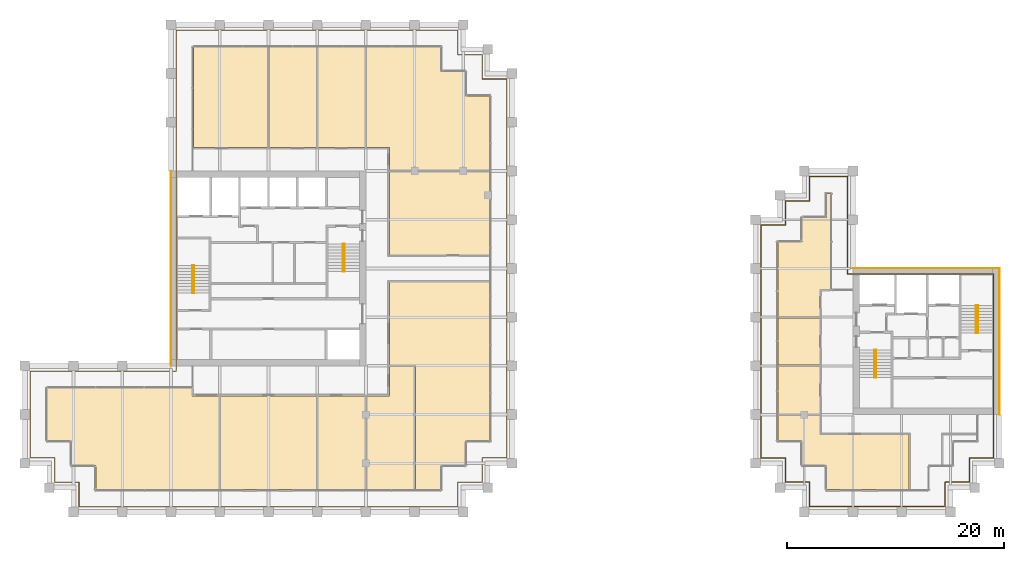
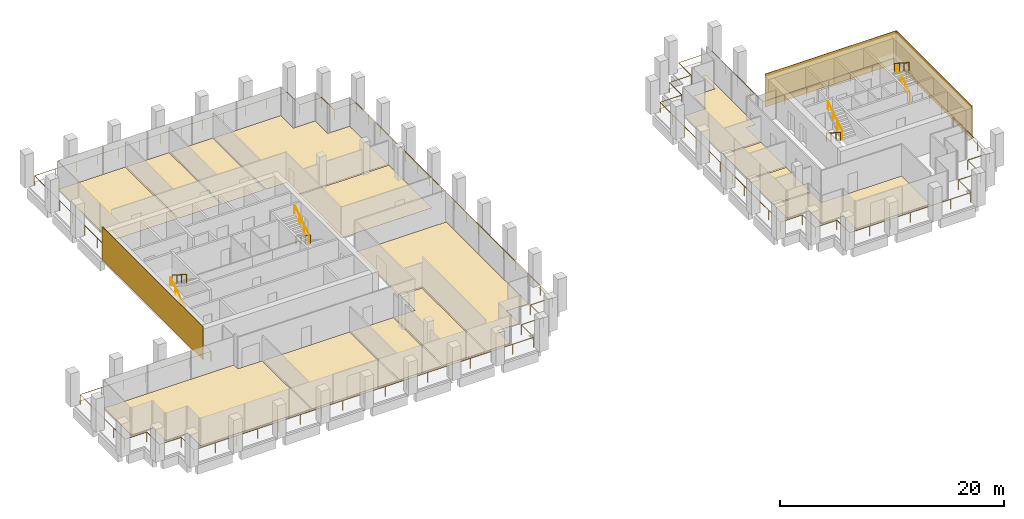
# One storey, part 40 of 40: 17 coverings, 10 railings.
"""IFC4 building model written with IfcOpenShell, lengths in metres."""

from ifc_helpers import new_model, si_unit, direction, frame, origin, origin_2d, place, context, subcontext, project, spatial, polyline, rectangle, circle, outline, extrude, source, transform, mapped, material, layer, layer_set, type_object, element, save


model = new_model("IFC4")

# Units and contexts
model_context = context("Model", 3, precision=1e-05, world=origin(), true_north=direction((0.0, 1.0)))
body_context = subcontext(model_context, "Body", "Model", "MODEL_VIEW")
ifc_project = project(units=[si_unit("LENGTHUNIT", "METRE"), si_unit("AREAUNIT", "SQUARE_METRE"), si_unit("VOLUMEUNIT", "CUBIC_METRE"), si_unit("PLANEANGLEUNIT", "RADIAN"), si_unit("MASSUNIT", "GRAM", prefix="KILO")], contexts=[model_context])

# Site, building, storey
site_placement = place(None, origin())
site = spatial("IfcSite", under=ifc_project, at=site_placement, CompositionType="ELEMENT")
building_placement = place(site_placement, origin())
building = spatial("IfcBuilding", under=site, at=building_placement, Name="Altepetl Exchange Towers", CompositionType="ELEMENT")
storey_placement = place(building_placement, frame((0.0, 0.0, 172.60009765625)))
storey = spatial("IfcBuildingStorey", under=building, at=storey_placement, Name="L43", CompositionType="ELEMENT", Elevation=172.60009765625)

# Coverings
ifc_material_1 = material(Name="Carpet tile")
ifc_layer_1 = layer(ifc_material_1, 0.02001953125)
ifc_layer_set_1 = layer_set([ifc_layer_1], Name="Carpet tile")
covering_type_1 = type_object("IfcCoveringType", Name="Carpet tile floor", PredefinedType="FLOORING", material=ifc_layer_set_1)
covering_1_placement = place(storey_placement, origin())
element("IfcCovering", 1, at=covering_1_placement, inside=storey, type_object=covering_type_1, Name="Meeting room floor finish A43.01", PredefinedType="FLOORING", context=body_context, shape_type="SweptSolid", body=[
    extrude(outline(polyline([(53.9375, 29.0625), (53.9375, 37.737548828125), (45.0625, 37.737548828125), (45.0625, 29.0625), (53.9375, 29.0625)])), origin(), (0.0, 0.0, 1.0), 0.02001953125),
])
covering_2_placement = place(storey_placement, origin())
element("IfcCovering", 2, at=covering_2_placement, inside=storey, type_object=covering_type_1, Name="Pantry floor finish A43.02", PredefinedType="FLOORING", context=body_context, shape_type="SweptSolid", body=[
    extrude(outline(polyline([(58.4375, 29.0625), (58.4375, 37.737548828125), (54.0625, 37.737548828125), (54.0625, 29.0625), (58.4375, 29.0625)])), origin(), (0.0, 0.0, 1.0), 0.02001953125),
])
covering_3_placement = place(storey_placement, origin())
element("IfcCovering", 3, at=covering_3_placement, inside=storey, type_object=covering_type_1, Name="Interview room floor finish A43.04", PredefinedType="FLOORING", context=body_context, shape_type="SweptSolid", body=[
    extrude(outline(polyline([(62.9375, 29.0625), (62.9375, 40.4375), (60.66259765625, 40.4375), (60.66259765625, 37.737548828125), (58.5625, 37.737548828125), (58.5625, 29.0625), (62.9375, 29.0625)])), origin(), (0.0, 0.0, 1.0), 0.02001953125),
])
covering_4_placement = place(storey_placement, origin())
element("IfcCovering", 4, at=covering_4_placement, inside=storey, type_object=covering_type_1, Name="Fund office floor finish A43.05", PredefinedType="FLOORING", context=body_context, shape_type="SweptSolid", body=[
    extrude(outline(polyline([(67.6875, 31.3125), (67.6875, 33.5625), (69.9375, 33.5625), (69.9375, 48.237548828125), (60.66259765625, 48.237548828125), (60.66259765625, 40.5625), (63.0625, 40.5625), (63.0625, 29.0625), (65.4375, 29.0625), (65.4375, 31.3125), (67.6875, 31.3125)])), origin(), (0.0, 0.0, 1.0), 0.02001953125),
])
covering_5_placement = place(storey_placement, origin())
element("IfcCovering", 5, at=covering_5_placement, inside=storey, type_object=covering_type_1, Name="Training room floor finish A43.06", PredefinedType="FLOORING", context=body_context, shape_type="SweptSolid", body=[
    extrude(outline(polyline([(69.9375, 58.4375), (60.66259765625, 58.4375), (60.66259765625, 50.762451171875), (69.9375, 50.762451171875), (69.9375, 58.4375)])), origin(), (0.0, 0.0, 1.0), 0.02001953125),
])
covering_6_placement = place(storey_placement, origin())
element("IfcCovering", 6, at=covering_6_placement, inside=storey, type_object=covering_type_1, Name="Open office floor finish A43.07", PredefinedType="FLOORING", context=body_context, shape_type="SweptSolid", body=[
    extrude(outline(polyline([(60.66259765625, 58.5625), (69.9375, 58.5625), (69.9375, 65.4375), (67.6875, 65.4375), (67.6875, 67.6875), (65.4375, 67.6875), (65.4375, 69.9375), (58.5625, 69.9375), (58.5625, 60.66259765625), (60.66259765625, 60.66259765625), (60.66259765625, 58.5625)])), origin(), (0.0, 0.0, 1.0), 0.02001953125),
])
covering_7_placement = place(storey_placement, origin())
element("IfcCovering", 7, at=covering_7_placement, inside=storey, type_object=covering_type_1, Name="Huddle room floor finish A43.08", PredefinedType="FLOORING", context=body_context, shape_type="SweptSolid", body=[
    extrude(outline(polyline([(49.4375, 60.66259765625), (49.4375, 69.9375), (42.5625, 69.9375), (42.5625, 60.66259765625), (49.4375, 60.66259765625)])), origin(), (0.0, 0.0, 1.0), 0.02001953125),
])
covering_8_placement = place(storey_placement, origin())
element("IfcCovering", 8, at=covering_8_placement, inside=storey, type_object=covering_type_1, Name="Conference room floor finish A43.09", PredefinedType="FLOORING", context=body_context, shape_type="SweptSolid", body=[
    extrude(outline(polyline([(53.9375, 60.66259765625), (53.9375, 69.9375), (49.5625, 69.9375), (49.5625, 60.66259765625), (53.9375, 60.66259765625)])), origin(), (0.0, 0.0, 1.0), 0.02001953125),
])
covering_9_placement = place(storey_placement, origin())
element("IfcCovering", 9, at=covering_9_placement, inside=storey, type_object=covering_type_1, Name="Meeting room floor finish A43.10", PredefinedType="FLOORING", context=body_context, shape_type="SweptSolid", body=[
    extrude(outline(polyline([(58.4375, 60.66259765625), (58.4375, 69.9375), (54.0625, 69.9375), (54.0625, 60.66259765625), (58.4375, 60.66259765625)])), origin(), (0.0, 0.0, 1.0), 0.02001953125),
])
covering_10_placement = place(storey_placement, origin())
element("IfcCovering", 10, at=covering_10_placement, inside=storey, type_object=covering_type_1, Name="Pantry floor finish B43.01", PredefinedType="FLOORING", context=body_context, shape_type="SweptSolid", body=[
    extrude(outline(polyline([(100.4375, 40.4375), (96.5625, 40.4375), (96.5625, 36.0625), (100.4375, 36.0625), (100.4375, 40.4375)])), origin(), (0.0, 0.0, 1.0), 0.02001953125),
])
covering_11_placement = place(storey_placement, origin())
element("IfcCovering", 11, at=covering_11_placement, inside=storey, type_object=covering_type_1, Name="Open office floor finish B43.02", PredefinedType="FLOORING", context=body_context, shape_type="SweptSolid", body=[
    extrude(outline(polyline([(108.6875, 29.0625), (108.6875, 34.137451171875), (100.4375, 34.137451171875), (100.4375, 35.9375), (96.5625, 35.9375), (96.5625, 33.5625), (98.8125, 33.5625), (98.8125, 31.3125), (101.0625, 31.3125), (101.0625, 29.0625), (108.6875, 29.0625)])), origin(), (0.0, 0.0, 1.0), 0.02001953125),
])
covering_12_placement = place(storey_placement, origin())
element("IfcCovering", 12, at=covering_12_placement, inside=storey, type_object=covering_type_1, Name="Meeting room floor finish B43.03", PredefinedType="FLOORING", context=body_context, shape_type="SweptSolid", body=[
    extrude(outline(polyline([(101.4375, 47.5625), (101.4375, 56.4375), (101.0625, 56.4375), (101.0625, 54.1875), (98.8125, 54.1875), (98.8125, 51.9375), (96.5625, 51.9375), (96.5625, 45.0625), (100.4375, 45.0625), (100.4375, 47.5625), (101.4375, 47.5625)])), origin(), (0.0, 0.0, 1.0), 0.02001953125),
])
covering_13_placement = place(storey_placement, origin())
element("IfcCovering", 13, at=covering_13_placement, inside=storey, type_object=covering_type_1, Name="Pantry floor finish B43.04", PredefinedType="FLOORING", context=body_context, shape_type="SweptSolid", body=[
    extrude(outline(polyline([(100.4375, 44.9375), (96.5625, 44.9375), (96.5625, 40.5625), (100.4375, 40.5625), (100.4375, 44.9375)])), origin(), (0.0, 0.0, 1.0), 0.02001953125),
])
ifc_material_2 = material(Name="Cantera stone", Category="masonry")
ifc_layer_2 = layer(ifc_material_2, 0.030029296875)
ifc_layer_set_2 = layer_set([ifc_layer_2], Name="Cantera stone")
covering_type_2 = type_object("IfcCoveringType", Name="Polished stone floor", PredefinedType="FLOORING", material=ifc_layer_set_2)
covering_14_placement = place(storey_placement, origin())
element("IfcCovering", 14, at=covering_14_placement, inside=storey, type_object=covering_type_2, Name="Auditorium floor finish A43.03", PredefinedType="FLOORING", context=body_context, shape_type="SweptSolid", body=[
    extrude(outline(polyline([(33.5625, 29.0625), (44.9375, 29.0625), (44.9375, 37.737548828125), (42.4375, 37.737548828125), (42.4375, 38.4375), (29.0625, 38.4375), (29.0625, 33.5625), (31.3125, 33.5625), (31.3125, 31.3125), (33.5625, 31.3125), (33.5625, 29.0625)])), origin(), (0.0, 0.0, 1.0), 0.02978515625),
])
ifc_material_3 = material(Name="Cantera limestone cladding", Category="masonry")
ifc_layer_3 = layer(ifc_material_3, 0.0400390625)
ifc_layer_set_3 = layer_set([ifc_layer_3], Name="Cantera limestone cladding")
covering_type_3 = type_object("IfcCoveringType", Name="Stone panel 40 cantera", PredefinedType="CLADDING", material=ifc_layer_set_3)
covering_15_placement = place(storey_placement, frame((40.47998046875, 49.5, -0.000244140625), z_axis=(0.0, 0.0, 1.0), x_axis=(0.0, -1.0, 0.0)))
element("IfcCovering", 15, at=covering_15_placement, inside=storey, type_object=covering_type_3, Name="Stone cladding panel", PredefinedType="CLADDING", context=body_context, shape_type="SweptSolid", body=[
    extrude(rectangle(XDim=18.0, YDim=0.0400390625, at=origin_2d()), origin(), (0.0, 0.0, 1.0), 3.60009765625),
])
for number, where, z_axis, x_axis, name in (
    (16, (117.02001953125, 42.75, -0.000244140625), (0.0, 0.0, 1.0), (0.0, 1.0, 0.0), "Stone cladding panel"),
    (17, (110.25, 49.52001953125, -0.000244140625), (0.0, 0.0, 1.0), (-1.0, 0.0, 0.0), "Stone cladding panel"),
):
    element("IfcCovering", number, at=place(storey_placement, frame(where, z_axis=z_axis, x_axis=x_axis)), inside=storey, type_object=covering_type_3, Name=name, PredefinedType="CLADDING", context=body_context, shape_type="SweptSolid", body=[
        extrude(rectangle(XDim=13.5, YDim=0.0400390625, at=origin_2d()), origin(), (0.0, 0.0, 1.0), 3.60009765625),
    ])

# Railings
ifc_material_4 = material(Name="Steel S355", Category="steel")
railing_type_1 = type_object("IfcRailingType", Name="Guard 1100 steel posts and rail", PredefinedType="GUARDRAIL", material=ifc_material_4)
shared_shape_1 = source(origin(), body_context, "Body", "SweptSolid", [
    extrude(circle(Radius=0.02099609375, at=origin_2d()), origin(), (0.0, 0.0, 1.0), 1.052001953125),
])
railing_1_placement = place(storey_placement, frame((41.0, 40.0, 0.0)))
element("IfcRailing", 18, at=railing_1_placement, inside=storey, type_object=railing_type_1, Name="Loggia guard", PredefinedType="GUARDRAIL", context=body_context, shape_type="SweptSolid", body=[
    extrude(circle(Radius=0.02392578125, at=origin_2d()), frame((0.0, 0.0, 1.076171875), z_axis=(-1.0, 0.0, 0.0), x_axis=(0.0, -1.0, 0.0)), (0.0, 0.0, 1.0), 13.5),
    extrude(circle(Radius=0.02392578125, at=origin_2d()), frame((-13.5, 0.0, 1.076171875), z_axis=(0.0, -1.0, 0.0), x_axis=(1.0, 0.0, 0.0)), (0.0, 0.0, 1.0), 8.0),
    extrude(circle(Radius=0.02392578125, at=origin_2d()), frame((-13.5, -8.0, 1.076171875), z_axis=(1.0, 0.0, 0.0), x_axis=(0.0, 1.0, 0.0)), (0.0, 0.0, 1.0), 2.25),
    extrude(circle(Radius=0.02392578125, at=origin_2d()), frame((-11.25, -8.0, 1.076171875), z_axis=(0.0, -1.0, 0.0), x_axis=(1.0, 0.0, 0.0)), (0.0, 0.0, 1.0), 2.25),
    extrude(circle(Radius=0.02392578125, at=origin_2d()), frame((-11.25, -10.25, 1.076171875), z_axis=(1.0, 0.0, 0.0), x_axis=(0.0, 1.0, 0.0)), (0.0, 0.0, 1.0), 2.25),
    extrude(circle(Radius=0.02392578125, at=origin_2d()), frame((-9.0, -10.25, 1.076171875), z_axis=(0.0, -1.0, 0.0), x_axis=(1.0, 0.0, 0.0)), (0.0, 0.0, 1.0), 2.25),
    extrude(circle(Radius=0.02392578125, at=origin_2d()), frame((-9.0, -12.5, 1.076171875), z_axis=(1.0, 0.0, 0.0), x_axis=(0.0, 1.0, 0.0)), (0.0, 0.0, 1.0), 35.0),
    extrude(circle(Radius=0.02392578125, at=origin_2d()), frame((26.0, -12.5, 1.076171875), z_axis=(0.0, 1.0, 0.0), x_axis=(-1.0, 0.0, 0.0)), (0.0, 0.0, 1.0), 2.25),
    extrude(circle(Radius=0.02392578125, at=origin_2d()), frame((26.0, -10.25, 1.076171875), z_axis=(1.0, 0.0, 0.0), x_axis=(0.0, 1.0, 0.0)), (0.0, 0.0, 1.0), 2.25),
    extrude(circle(Radius=0.02392578125, at=origin_2d()), frame((28.25, -10.25, 1.076171875), z_axis=(0.0, 1.0, 0.0), x_axis=(-1.0, 0.0, 0.0)), (0.0, 0.0, 1.0), 2.25),
    extrude(circle(Radius=0.02392578125, at=origin_2d()), frame((28.25, -8.0, 1.076171875), z_axis=(1.0, 0.0, 0.0), x_axis=(0.0, 1.0, 0.0)), (0.0, 0.0, 1.0), 2.25),
    extrude(circle(Radius=0.02392578125, at=origin_2d()), frame((30.5, -8.0, 1.076171875), z_axis=(0.0, 1.0, 0.0), x_axis=(-1.0, 0.0, 0.0)), (0.0, 0.0, 1.0), 35.0),
    extrude(circle(Radius=0.02392578125, at=origin_2d()), frame((30.5, 27.0, 1.076171875), z_axis=(-1.0, 0.0, 0.0), x_axis=(0.0, -1.0, 0.0)), (0.0, 0.0, 1.0), 2.25),
    extrude(circle(Radius=0.02392578125, at=origin_2d()), frame((28.25, 27.0, 1.076171875), z_axis=(0.0, 1.0, 0.0), x_axis=(-1.0, 0.0, 0.0)), (0.0, 0.0, 1.0), 2.25),
    extrude(circle(Radius=0.02392578125, at=origin_2d()), frame((28.25, 29.25, 1.076171875), z_axis=(-1.0, 0.0, 0.0), x_axis=(0.0, -1.0, 0.0)), (0.0, 0.0, 1.0), 2.25),
    extrude(circle(Radius=0.02392578125, at=origin_2d()), frame((26.0, 29.25, 1.076171875), z_axis=(0.0, 1.0, 0.0), x_axis=(-1.0, 0.0, 0.0)), (0.0, 0.0, 1.0), 2.25),
    extrude(circle(Radius=0.02392578125, at=origin_2d()), frame((26.0, 31.5, 1.076171875), z_axis=(-1.0, 0.0, 0.0), x_axis=(0.0, -1.0, 0.0)), (0.0, 0.0, 1.0), 26.0),
    extrude(circle(Radius=0.02392578125, at=origin_2d()), frame((0.0, 31.5, 1.076171875), z_axis=(0.0, -1.0, 0.0), x_axis=(1.0, 0.0, 0.0)), (0.0, 0.0, 1.0), 31.39990234375),
    mapped(shared_shape_1, transform((0.0, 0.0, 0.0))),
    mapped(shared_shape_1, transform((-2.25, 0.0, 0.0))),
    mapped(shared_shape_1, transform((-4.5, 0.0, 0.0))),
    mapped(shared_shape_1, transform((-6.75, 0.0, 0.0))),
    mapped(shared_shape_1, transform((-9.0, 0.0, 0.0))),
    mapped(shared_shape_1, transform((-11.25, 0.0, 0.0))),
    mapped(shared_shape_1, transform((-13.5, 0.0, 0.0))),
    mapped(shared_shape_1, transform((-13.5, -2.0, 0.0))),
    mapped(shared_shape_1, transform((-13.5, -4.0, 0.0))),
    mapped(shared_shape_1, transform((-13.5, -6.0, 0.0))),
    mapped(shared_shape_1, transform((-13.5, -8.0, 0.0))),
    mapped(shared_shape_1, transform((-11.25, -8.0, 0.0))),
    mapped(shared_shape_1, transform((-11.25, -10.25, 0.0))),
    mapped(shared_shape_1, transform((-9.0, -10.25, 0.0))),
    mapped(shared_shape_1, transform((-9.0, -12.5, 0.0))),
    mapped(shared_shape_1, transform((-6.8125, -12.5, 0.0))),
    mapped(shared_shape_1, transform((-4.625, -12.5, 0.0))),
    mapped(shared_shape_1, transform((-2.4375, -12.5, 0.0))),
    mapped(shared_shape_1, transform((-0.25, -12.5, 0.0))),
    mapped(shared_shape_1, transform((1.9375, -12.5, 0.0))),
    mapped(shared_shape_1, transform((4.125, -12.5, 0.0))),
    mapped(shared_shape_1, transform((6.3125, -12.5, 0.0))),
    mapped(shared_shape_1, transform((8.5, -12.5, 0.0))),
    mapped(shared_shape_1, transform((10.6875, -12.5, 0.0))),
    mapped(shared_shape_1, transform((12.875, -12.5, 0.0))),
    mapped(shared_shape_1, transform((15.0625, -12.5, 0.0))),
    mapped(shared_shape_1, transform((17.25, -12.5, 0.0))),
    mapped(shared_shape_1, transform((19.4375, -12.5, 0.0))),
    mapped(shared_shape_1, transform((21.625, -12.5, 0.0))),
    mapped(shared_shape_1, transform((23.8125, -12.5, 0.0))),
    mapped(shared_shape_1, transform((26.0, -12.5, 0.0))),
    mapped(shared_shape_1, transform((26.0, -10.25, 0.0))),
    mapped(shared_shape_1, transform((28.25, -10.25, 0.0))),
    mapped(shared_shape_1, transform((28.25, -8.0, 0.0))),
    mapped(shared_shape_1, transform((30.5, -8.0, 0.0))),
    mapped(shared_shape_1, transform((30.5, -5.8125, 0.0))),
    mapped(shared_shape_1, transform((30.5, -3.625, 0.0))),
    mapped(shared_shape_1, transform((30.5, -1.4375, 0.0))),
    mapped(shared_shape_1, transform((30.5, 0.75, 0.0))),
    mapped(shared_shape_1, transform((30.5, 2.9375, 0.0))),
    mapped(shared_shape_1, transform((30.5, 5.125, 0.0))),
    mapped(shared_shape_1, transform((30.5, 7.3125, 0.0))),
    mapped(shared_shape_1, transform((30.5, 9.5, 0.0))),
    mapped(shared_shape_1, transform((30.5, 11.6875, 0.0))),
    mapped(shared_shape_1, transform((30.5, 13.875, 0.0))),
    mapped(shared_shape_1, transform((30.5, 16.0625, 0.0))),
    mapped(shared_shape_1, transform((30.5, 18.25, 0.0))),
    mapped(shared_shape_1, transform((30.5, 20.4375, 0.0))),
    mapped(shared_shape_1, transform((30.5, 22.625, 0.0))),
    mapped(shared_shape_1, transform((30.5, 24.8125, 0.0))),
    mapped(shared_shape_1, transform((30.5, 27.0, 0.0))),
    mapped(shared_shape_1, transform((28.25, 27.0, 0.0))),
    mapped(shared_shape_1, transform((28.25, 29.25, 0.0))),
    mapped(shared_shape_1, transform((26.0, 29.25, 0.0))),
    mapped(shared_shape_1, transform((26.0, 31.5, 0.0))),
    mapped(shared_shape_1, transform((23.833251953125, 31.5, 0.0))),
    mapped(shared_shape_1, transform((21.666748046875, 31.5, 0.0))),
    mapped(shared_shape_1, transform((19.5, 31.5, 0.0))),
    mapped(shared_shape_1, transform((17.333251953125, 31.5, 0.0))),
    mapped(shared_shape_1, transform((15.166748046875, 31.5, 0.0))),
    mapped(shared_shape_1, transform((13.0, 31.5, 0.0))),
    mapped(shared_shape_1, transform((10.833251953125, 31.5, 0.0))),
    mapped(shared_shape_1, transform((8.666748046875, 31.5, 0.0))),
    mapped(shared_shape_1, transform((6.5, 31.5, 0.0))),
    mapped(shared_shape_1, transform((4.333251953125, 31.5, 0.0))),
    mapped(shared_shape_1, transform((2.166748046875, 31.5, 0.0))),
    mapped(shared_shape_1, transform((0.0, 31.5, 0.0))),
    mapped(shared_shape_1, transform((0.0, 29.257080078125, 0.0))),
    mapped(shared_shape_1, transform((0.0, 27.014404296875, 0.0))),
    mapped(shared_shape_1, transform((0.0, 24.771484375, 0.0))),
    mapped(shared_shape_1, transform((0.0, 22.528564453125, 0.0))),
    mapped(shared_shape_1, transform((0.0, 20.28564453125, 0.0))),
    mapped(shared_shape_1, transform((0.0, 18.04296875, 0.0))),
    mapped(shared_shape_1, transform((0.0, 15.800048828125, 0.0))),
    mapped(shared_shape_1, transform((0.0, 13.55712890625, 0.0))),
    mapped(shared_shape_1, transform((0.0, 11.314453125, 0.0))),
    mapped(shared_shape_1, transform((0.0, 9.071533203125, 0.0))),
    mapped(shared_shape_1, transform((0.0, 6.82861328125, 0.0))),
    mapped(shared_shape_1, transform((0.0, 4.585693359375, 0.0))),
    mapped(shared_shape_1, transform((0.0, 2.343017578125, 0.0))),
    mapped(shared_shape_1, transform((0.0, 0.10009765625, 0.0))),
])
railing_2_placement = place(storey_placement, frame((99.5, 27.5, 0.0)))
element("IfcRailing", 19, at=railing_2_placement, inside=storey, type_object=railing_type_1, Name="Loggia guard", PredefinedType="GUARDRAIL", context=body_context, shape_type="SweptSolid", body=[
    extrude(circle(Radius=0.02392578125, at=origin_2d()), frame((0.0, 0.0, 1.076171875), z_axis=(1.0, 0.0, 0.0), x_axis=(0.0, 1.0, 0.0)), (0.0, 0.0, 1.0), 12.5),
    extrude(circle(Radius=0.02392578125, at=origin_2d()), frame((12.5, 0.0, 1.076171875), z_axis=(0.0, 1.0, 0.0), x_axis=(-1.0, 0.0, 0.0)), (0.0, 0.0, 1.0), 2.25),
    extrude(circle(Radius=0.02392578125, at=origin_2d()), frame((12.5, 2.25, 1.076171875), z_axis=(1.0, 0.0, 0.0), x_axis=(0.0, 1.0, 0.0)), (0.0, 0.0, 1.0), 2.25),
    extrude(circle(Radius=0.02392578125, at=origin_2d()), frame((14.75, 2.25, 1.076171875), z_axis=(0.0, 1.0, 0.0), x_axis=(-1.0, 0.0, 0.0)), (0.0, 0.0, 1.0), 2.25),
    extrude(circle(Radius=0.02392578125, at=origin_2d()), frame((14.75, 4.5, 1.076171875), z_axis=(1.0, 0.0, 0.0), x_axis=(0.0, 1.0, 0.0)), (0.0, 0.0, 1.0), 2.25),
    extrude(circle(Radius=0.02392578125, at=origin_2d()), frame((17.0, 4.5, 1.076171875), z_axis=(0.0, 1.0, 0.0), x_axis=(-1.0, 0.0, 0.0)), (0.0, 0.0, 1.0), 17.0),
    extrude(circle(Radius=0.02392578125, at=origin_2d()), frame((17.0, 21.5, 1.076171875), z_axis=(-1.0, 0.0, 0.0), x_axis=(0.0, -1.0, 0.0)), (0.0, 0.0, 1.0), 13.5),
    extrude(circle(Radius=0.02392578125, at=origin_2d()), frame((3.5, 21.5, 1.076171875), z_axis=(0.0, 1.0, 0.0), x_axis=(-1.0, 0.0, 0.0)), (0.0, 0.0, 1.0), 9.0),
    extrude(circle(Radius=0.02392578125, at=origin_2d()), frame((3.5, 30.5, 1.076171875), z_axis=(-1.0, 0.0, 0.0), x_axis=(0.0, -1.0, 0.0)), (0.0, 0.0, 1.0), 3.5),
    extrude(circle(Radius=0.02392578125, at=origin_2d()), frame((0.0, 30.5, 1.076171875), z_axis=(0.0, -1.0, 0.0), x_axis=(1.0, 0.0, 0.0)), (0.0, 0.0, 1.0), 2.25),
    extrude(circle(Radius=0.02392578125, at=origin_2d()), frame((0.0, 28.25, 1.076171875), z_axis=(-1.0, 0.0, 0.0), x_axis=(0.0, -1.0, 0.0)), (0.0, 0.0, 1.0), 2.25),
    extrude(circle(Radius=0.02392578125, at=origin_2d()), frame((-2.25, 28.25, 1.076171875), z_axis=(0.0, -1.0, 0.0), x_axis=(1.0, 0.0, 0.0)), (0.0, 0.0, 1.0), 2.25),
    extrude(circle(Radius=0.02392578125, at=origin_2d()), frame((-2.25, 26.0, 1.076171875), z_axis=(-1.0, 0.0, 0.0), x_axis=(0.0, -1.0, 0.0)), (0.0, 0.0, 1.0), 2.25),
    extrude(circle(Radius=0.02392578125, at=origin_2d()), frame((-4.5, 26.0, 1.076171875), z_axis=(0.0, -1.0, 0.0), x_axis=(1.0, 0.0, 0.0)), (0.0, 0.0, 1.0), 21.5),
    extrude(circle(Radius=0.02392578125, at=origin_2d()), frame((-4.5, 4.5, 1.076171875), z_axis=(1.0, 0.0, 0.0), x_axis=(0.0, 1.0, 0.0)), (0.0, 0.0, 1.0), 2.25),
    extrude(circle(Radius=0.02392578125, at=origin_2d()), frame((-2.25, 4.5, 1.076171875), z_axis=(0.0, -1.0, 0.0), x_axis=(1.0, 0.0, 0.0)), (0.0, 0.0, 1.0), 2.25),
    extrude(circle(Radius=0.02392578125, at=origin_2d()), frame((-2.25, 2.25, 1.076171875), z_axis=(1.0, 0.0, 0.0), x_axis=(0.0, 1.0, 0.0)), (0.0, 0.0, 1.0), 2.25),
    extrude(circle(Radius=0.02392578125, at=origin_2d()), frame((0.0, 2.25, 1.076171875), z_axis=(0.0, -1.0, 0.0), x_axis=(1.0, 0.0, 0.0)), (0.0, 0.0, 1.0), 2.14990234375),
    mapped(shared_shape_1, transform((0.0, 0.0, 0.0))),
    mapped(shared_shape_1, transform((2.083251953125, 0.0, 0.0))),
    mapped(shared_shape_1, transform((4.166748046875, 0.0, 0.0))),
    mapped(shared_shape_1, transform((6.25, 0.0, 0.0))),
    mapped(shared_shape_1, transform((8.333251953125, 0.0, 0.0))),
    mapped(shared_shape_1, transform((10.416748046875, 0.0, 0.0))),
    mapped(shared_shape_1, transform((12.5, 0.0, 0.0))),
    mapped(shared_shape_1, transform((12.5, 2.25, 0.0))),
    mapped(shared_shape_1, transform((14.75, 2.25, 0.0))),
    mapped(shared_shape_1, transform((14.75, 4.5, 0.0))),
    mapped(shared_shape_1, transform((17.0, 4.5, 0.0))),
    mapped(shared_shape_1, transform((17.0, 6.625, 0.0))),
    mapped(shared_shape_1, transform((17.0, 8.75, 0.0))),
    mapped(shared_shape_1, transform((17.0, 10.875, 0.0))),
    mapped(shared_shape_1, transform((17.0, 13.0, 0.0))),
    mapped(shared_shape_1, transform((17.0, 15.125, 0.0))),
    mapped(shared_shape_1, transform((17.0, 17.25, 0.0))),
    mapped(shared_shape_1, transform((17.0, 19.375, 0.0))),
    mapped(shared_shape_1, transform((17.0, 21.5, 0.0))),
    mapped(shared_shape_1, transform((14.75, 21.5, 0.0))),
    mapped(shared_shape_1, transform((12.5, 21.5, 0.0))),
    mapped(shared_shape_1, transform((10.25, 21.5, 0.0))),
    mapped(shared_shape_1, transform((8.0, 21.5, 0.0))),
    mapped(shared_shape_1, transform((5.75, 21.5, 0.0))),
    mapped(shared_shape_1, transform((3.5, 21.5, 0.0))),
    mapped(shared_shape_1, transform((3.5, 23.75, 0.0))),
    mapped(shared_shape_1, transform((3.5, 26.0, 0.0))),
    mapped(shared_shape_1, transform((3.5, 28.25, 0.0))),
    mapped(shared_shape_1, transform((3.5, 30.5, 0.0))),
    mapped(shared_shape_1, transform((1.75, 30.5, 0.0))),
    mapped(shared_shape_1, transform((0.0, 30.5, 0.0))),
    mapped(shared_shape_1, transform((0.0, 28.25, 0.0))),
    mapped(shared_shape_1, transform((-2.25, 28.25, 0.0))),
    mapped(shared_shape_1, transform((-2.25, 26.0, 0.0))),
    mapped(shared_shape_1, transform((-4.5, 26.0, 0.0))),
    mapped(shared_shape_1, transform((-4.5, 23.85009765625, 0.0))),
    mapped(shared_shape_1, transform((-4.5, 21.699951171875, 0.0))),
    mapped(shared_shape_1, transform((-4.5, 19.550048828125, 0.0))),
    mapped(shared_shape_1, transform((-4.5, 17.39990234375, 0.0))),
    mapped(shared_shape_1, transform((-4.5, 15.25, 0.0))),
    mapped(shared_shape_1, transform((-4.5, 13.10009765625, 0.0))),
    mapped(shared_shape_1, transform((-4.5, 10.949951171875, 0.0))),
    mapped(shared_shape_1, transform((-4.5, 8.800048828125, 0.0))),
    mapped(shared_shape_1, transform((-4.5, 6.64990234375, 0.0))),
    mapped(shared_shape_1, transform((-4.5, 4.5, 0.0))),
    mapped(shared_shape_1, transform((-2.25, 4.5, 0.0))),
    mapped(shared_shape_1, transform((-2.25, 2.25, 0.0))),
    mapped(shared_shape_1, transform((0.0, 2.25, 0.0))),
    mapped(shared_shape_1, transform((0.0, 0.10009765625, 0.0))),
])
ifc_material_5 = material(Name="Steel", Category="steel")
railing_type_2 = type_object("IfcRailingType", Name="Stair handrail 50 steel tube", PredefinedType="HANDRAIL", material=ifc_material_5)
shared_shape_2 = source(origin(), body_context, "Body", "SweptSolid", [
    extrude(circle(Radius=0.02099609375, at=origin_2d()), origin(), (0.0, 0.0, 1.0), 0.851806640625),
])
railing_3_placement = place(storey_placement, frame((42.469970703125, 47.25, 0.179931640625)))
element("IfcRailing", 20, at=railing_3_placement, inside=storey, type_object=railing_type_2, Name="Stair handrail", PredefinedType="HANDRAIL", context=body_context, shape_type="SweptSolid", body=[
    extrude(circle(Radius=0.02392578125, at=origin_2d()), frame((0.0, 0.0, 0.8759765625), z_axis=(0.0, 0.841199657755, 0.540724639528), x_axis=(-1.0, 0.0, 0.0)), (0.0, 0.0, 1.0), 2.995849609375),
    mapped(shared_shape_2, transform((0.0, 0.0, 0.0))),
    mapped(shared_shape_2, transform((0.0, 0.840087890625, 0.5400390625))),
    mapped(shared_shape_2, transform((0.0, 1.679931640625, 1.079833984375))),
    mapped(shared_shape_2, transform((0.0, 2.52001953125, 1.619873046875))),
])
for number, where, name in (
    (21, (42.6298828125, 49.77001953125, 1.97998046875), "Stair handrail"),
    (22, (56.530029296875, 51.75, 0.179931640625), "Stair handrail"),
):
    element("IfcRailing", number, at=place(storey_placement, frame(where)), inside=storey, type_object=railing_type_2, Name=name, PredefinedType="HANDRAIL", context=body_context, shape_type="SweptSolid", body=[
        extrude(circle(Radius=0.02392578125, at=origin_2d()), frame((0.0, 0.0, 0.8759765625), z_axis=(0.0, -0.841199657755, 0.540724639528), x_axis=(1.0, 0.0, 0.0)), (0.0, 0.0, 1.0), 2.995849609375),
        mapped(shared_shape_2, transform((0.0, 0.0, 0.0))),
        mapped(shared_shape_2, transform((0.0, -0.840087890625, 0.5400390625))),
        mapped(shared_shape_2, transform((0.0, -1.679931640625, 1.079833984375))),
        mapped(shared_shape_2, transform((0.0, -2.52001953125, 1.619873046875))),
    ])
railing_4_placement = place(storey_placement, frame((56.3701171875, 49.22998046875, 1.97998046875)))
element("IfcRailing", 23, at=railing_4_placement, inside=storey, type_object=railing_type_2, Name="Stair handrail", PredefinedType="HANDRAIL", context=body_context, shape_type="SweptSolid", body=[
    extrude(circle(Radius=0.02392578125, at=origin_2d()), frame((0.0, 0.0, 0.8759765625), z_axis=(0.0, 0.841199657755, 0.540724639528), x_axis=(-1.0, 0.0, 0.0)), (0.0, 0.0, 1.0), 2.995849609375),
    mapped(shared_shape_2, transform((0.0, 0.0, 0.0))),
    mapped(shared_shape_2, transform((0.0, 0.840087890625, 0.5400390625))),
    mapped(shared_shape_2, transform((0.0, 1.679931640625, 1.079833984375))),
    mapped(shared_shape_2, transform((0.0, 2.52001953125, 1.619873046875))),
])
railing_5_placement = place(storey_placement, frame((105.469970703125, 41.949951171875, 0.179931640625)))
element("IfcRailing", 24, at=railing_5_placement, inside=storey, type_object=railing_type_2, Name="Stair handrail", PredefinedType="HANDRAIL", context=body_context, shape_type="SweptSolid", body=[
    extrude(circle(Radius=0.02392578125, at=origin_2d()), frame((0.0, 0.0, 0.8759765625), z_axis=(0.0, -0.841199657755, 0.540724639528), x_axis=(1.0, 0.0, 0.0)), (0.0, 0.0, 1.0), 2.995849609375),
    mapped(shared_shape_2, transform((0.0, 0.0, 0.0))),
    mapped(shared_shape_2, transform((0.0, -0.840087890625, 0.5400390625))),
    mapped(shared_shape_2, transform((0.0, -1.679931640625, 1.079833984375))),
    mapped(shared_shape_2, transform((0.0, -2.52001953125, 1.619873046875))),
])
for number, where, name in (
    (25, (105.6298828125, 39.429931640625, 1.97998046875), "Stair handrail"),
    (26, (115.030029296875, 43.550048828125, 0.179931640625), "Stair handrail"),
):
    element("IfcRailing", number, at=place(storey_placement, frame(where)), inside=storey, type_object=railing_type_2, Name=name, PredefinedType="HANDRAIL", context=body_context, shape_type="SweptSolid", body=[
        extrude(circle(Radius=0.02392578125, at=origin_2d()), frame((0.0, 0.0, 0.8759765625), z_axis=(0.0, 0.841199657755, 0.540724639528), x_axis=(-1.0, 0.0, 0.0)), (0.0, 0.0, 1.0), 2.995849609375),
        mapped(shared_shape_2, transform((0.0, 0.0, 0.0))),
        mapped(shared_shape_2, transform((0.0, 0.840087890625, 0.5400390625))),
        mapped(shared_shape_2, transform((0.0, 1.679931640625, 1.079833984375))),
        mapped(shared_shape_2, transform((0.0, 2.52001953125, 1.619873046875))),
    ])
railing_6_placement = place(storey_placement, frame((114.8701171875, 46.070068359375, 1.97998046875)))
element("IfcRailing", 27, at=railing_6_placement, inside=storey, type_object=railing_type_2, Name="Stair handrail", PredefinedType="HANDRAIL", context=body_context, shape_type="SweptSolid", body=[
    extrude(circle(Radius=0.02392578125, at=origin_2d()), frame((0.0, 0.0, 0.8759765625), z_axis=(0.0, -0.841199657755, 0.540724639528), x_axis=(1.0, 0.0, 0.0)), (0.0, 0.0, 1.0), 2.995849609375),
    mapped(shared_shape_2, transform((0.0, 0.0, 0.0))),
    mapped(shared_shape_2, transform((0.0, -0.840087890625, 0.5400390625))),
    mapped(shared_shape_2, transform((0.0, -1.679931640625, 1.079833984375))),
    mapped(shared_shape_2, transform((0.0, -2.52001953125, 1.619873046875))),
])

save(model, "model.ifc")
